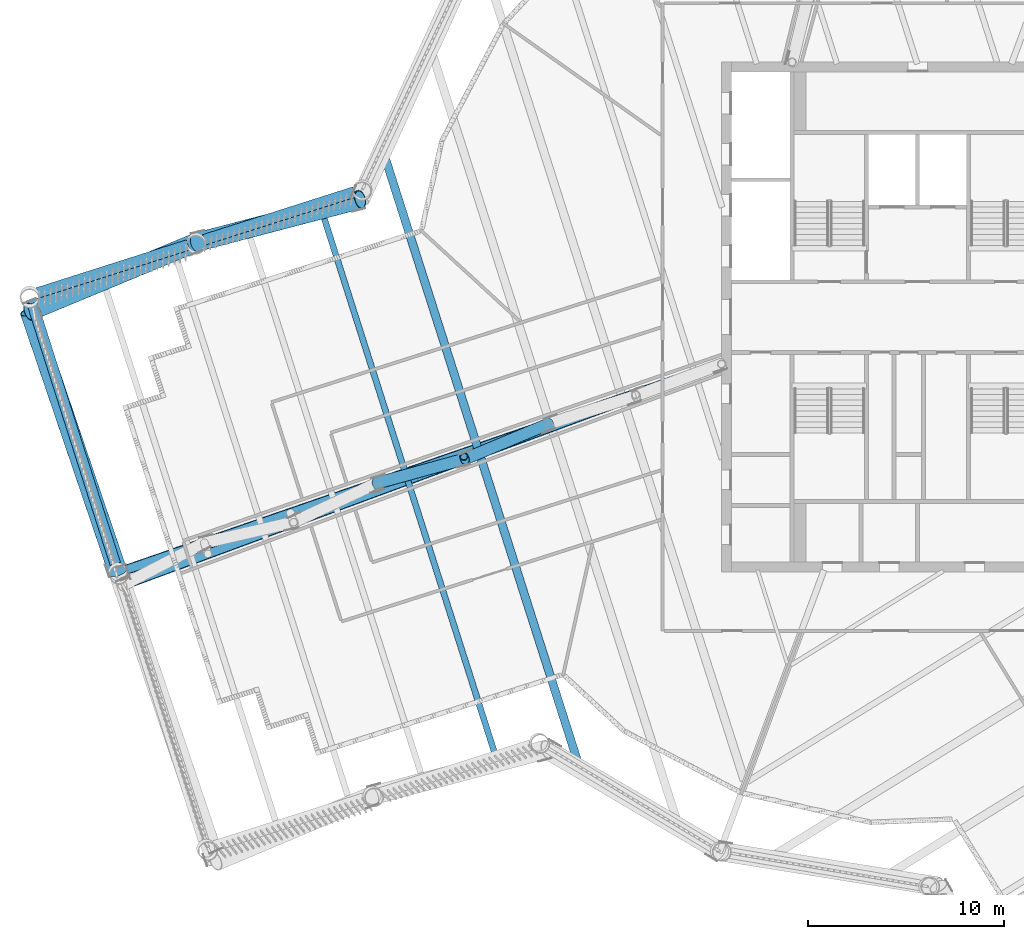
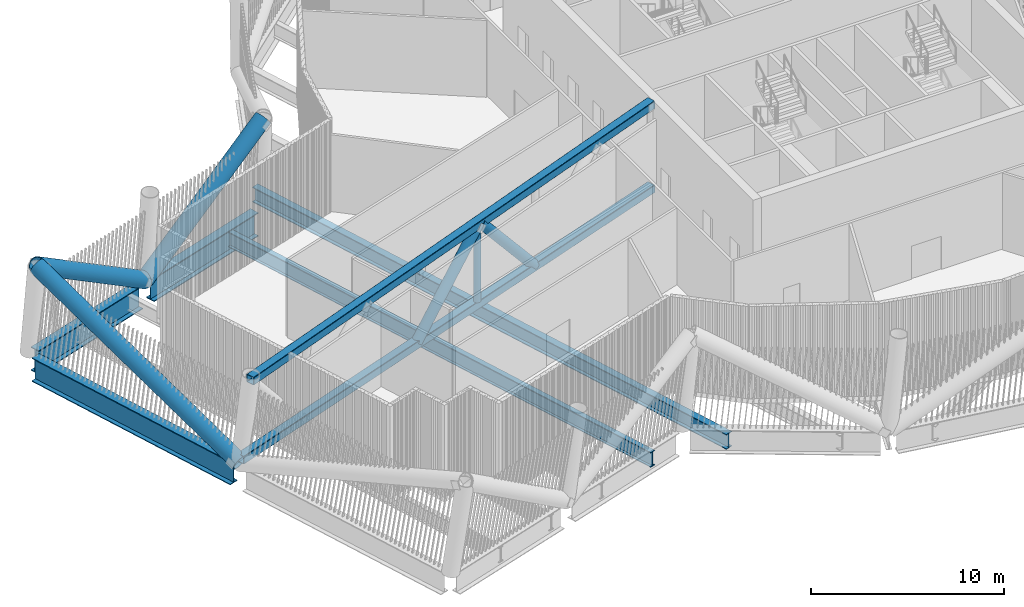
# One storey, part 5 of 40: 8 members, 5 beams.
"""IFC4 building model written with IfcOpenShell, lengths in metres."""

from ifc_helpers import new_model, si_unit, direction, frame, origin, origin_2d, place, context, subcontext, project, spatial, hollow_rectangle, hollow_circle, i_section, extrude, material, material_profile, profile_set, type_object, element, save


model = new_model("IFC4")

# Units and contexts
model_context = context("Model", 3, precision=1e-05, world=origin(), true_north=direction((0.0, 1.0)))
body_context = subcontext(model_context, "Body", "Model", "MODEL_VIEW")
ifc_project = project(units=[si_unit("LENGTHUNIT", "METRE"), si_unit("AREAUNIT", "SQUARE_METRE"), si_unit("VOLUMEUNIT", "CUBIC_METRE"), si_unit("PLANEANGLEUNIT", "RADIAN"), si_unit("MASSUNIT", "GRAM", prefix="KILO")], contexts=[model_context])

# Site, building, storey
site_placement = place(None, origin())
site = spatial("IfcSite", under=ifc_project, at=site_placement, CompositionType="ELEMENT")
building_placement = place(site_placement, origin())
building = spatial("IfcBuilding", under=site, at=building_placement, Name="Tarsis Ring Headquarters", CompositionType="ELEMENT")
storey_placement = place(building_placement, frame((0.0, 0.0, 354.800048828125)))
storey = spatial("IfcBuildingStorey", under=building, at=storey_placement, Name="L84", CompositionType="ELEMENT", Elevation=354.800048828125)

# Beams
ifc_material = material(Name="Structural steel S355", Category="steel")
ifc_material_profile_1 = material_profile(ifc_material, i_section(OverallWidth=0.309814453125, OverallDepth=0.949951171875, WebThickness=0.0244140625, FlangeThickness=0.0439453125, at=origin_2d()), Name="W36x256")
ifc_profile_set_1 = profile_set([ifc_material_profile_1], Name="Structural steel S355")
beam_type_1 = type_object("IfcBeamType", Name="FB Floor beam W36x256", PredefinedType="JOIST", material=ifc_profile_set_1)
beam_1_placement = place(storey_placement, frame((-30.53125, 5.890869140625, -0.775146484375), z_axis=(0.303704594529, -0.952766245866, 0.0), x_axis=(0.952766245866, 0.303704594529, 0.0)))
element("IfcBeam", 1, at=beam_1_placement, inside=storey, type_object=beam_type_1, Name="Floor beam FB11", PredefinedType="JOIST", context=body_context, shape_type="SweptSolid", body=[
    extrude(i_section(OverallWidth=0.309814453125, OverallDepth=0.949951171875, WebThickness=0.0244140625, FlangeThickness=0.0439453125, at=origin_2d()), origin(), (0.0, 0.0, 1.0), 29.77001953125),
])
ifc_material_profile_2 = material_profile(ifc_material, i_section(OverallWidth=0.42431640625, OverallDepth=0.947509765625, WebThickness=0.02392578125, FlangeThickness=0.042724609375, at=origin_2d()), Name="W36x302")
ifc_profile_set_2 = profile_set([ifc_material_profile_2], Name="Structural steel S355")
beam_type_2 = type_object("IfcBeamType", Name="FB Floor beam W36x302", PredefinedType="JOIST", material=ifc_profile_set_2)
beam_2_placement = place(storey_placement, frame((-27.33642578125, 8.710205078125, -0.773681640625), z_axis=(0.303696069498, -0.95276896327, 0.0), x_axis=(0.95276896327, 0.303696069498, 0.0)))
element("IfcBeam", 2, at=beam_2_placement, inside=storey, type_object=beam_type_2, Name="Floor beam FB12", PredefinedType="JOIST", context=body_context, shape_type="SweptSolid", body=[
    extrude(i_section(OverallWidth=0.42431640625, OverallDepth=0.947509765625, WebThickness=0.02392578125, FlangeThickness=0.042724609375, at=origin_2d()), origin(), (0.0, 0.0, 1.0), 33.29345703125),
])

# Members
ifc_material_profile_3 = material_profile(ifc_material, hollow_rectangle(XDim=0.508056640625, YDim=0.508056640625, WallThickness=0.025390625, InnerFilletRadius=0.025390625, OuterFilletRadius=0.05078125, at=origin_2d()), Name="HSS 508x508x25")
ifc_profile_set_3 = profile_set([ifc_material_profile_3], Name="Structural steel S355")
member_type_1 = type_object("IfcMemberType", Name="OC Outrigger chord HSS 508x508x25", PredefinedType="CHORD", material=ifc_profile_set_3)
member_1_placement = place(storey_placement, frame((-10.0, -2.39990234375, 0.25390625), z_axis=(-0.945183850521, -0.326538648119, 0.0), x_axis=(0.326538648119, -0.945183850521, 0.0)))
element("IfcMember", 3, at=member_1_placement, inside=storey, type_object=member_type_1, Name="Outrigger chord OC1", PredefinedType="CHORD", context=body_context, shape_type="SweptSolid", body=[
    extrude(hollow_rectangle(XDim=0.508056640625, YDim=0.508056640625, WallThickness=0.025390625, InnerFilletRadius=0.025390625, OuterFilletRadius=0.05078125, at=origin_2d()), origin(), (0.0, 0.0, 1.0), 32.552490234375),
])
member_2_placement = place(storey_placement, frame((-10.0, -2.39990234375, 5.5859375), z_axis=(-0.938049326569, -0.346501747361, 0.0), x_axis=(0.346501747361, -0.938049326569, 0.0)))
element("IfcMember", 4, at=member_2_placement, inside=storey, type_object=member_type_1, Name="Outrigger chord OC1", PredefinedType="CHORD", context=body_context, shape_type="SweptSolid", body=[
    extrude(hollow_rectangle(XDim=0.508056640625, YDim=0.508056640625, WallThickness=0.025390625, InnerFilletRadius=0.025390625, OuterFilletRadius=0.05078125, at=origin_2d()), origin(), (0.0, 0.0, 1.0), 32.5703125),
])
ifc_material_profile_4 = material_profile(ifc_material, hollow_circle(Radius=0.3046875, WallThickness=0.02490234375, at=origin_2d()), Name="CHS 610x25")
ifc_profile_set_4 = profile_set([ifc_material_profile_4], Name="Structural steel S355")
member_type_2 = type_object("IfcMemberType", Name="OD Outrigger diagonal CHS 610x25", PredefinedType="BRACE", material=ifc_profile_set_4)
member_3_placement = place(storey_placement, frame((-18.791015625, -5.43701171875, 0.25390625), z_axis=(-0.60741280945, -0.254027791118, 0.752674936646), x_axis=(0.385830432005, -0.922569714297, 0.0)))
element("IfcMember", 5, at=member_3_placement, inside=storey, type_object=member_type_2, Name="Outrigger diagonal OD1", PredefinedType="BRACE", context=body_context, shape_type="SweptSolid", body=[
    extrude(hollow_circle(Radius=0.3046875, WallThickness=0.02490234375, at=origin_2d()), origin(), (0.0, 0.0, 1.0), 7.084228515625),
])
member_4_placement = place(storey_placement, frame((-23.093994140625, -7.236572265625, 5.5859375), z_axis=(-0.634021052149, -0.174836944475, -0.753292339187), x_axis=(0.265836568694, -0.964018111212, 0.0)))
element("IfcMember", 6, at=member_4_placement, inside=storey, type_object=member_type_2, Name="Outrigger diagonal OD1", PredefinedType="BRACE", context=body_context, shape_type="SweptSolid", body=[
    extrude(hollow_circle(Radius=0.3046875, WallThickness=0.02490234375, at=origin_2d()), origin(), (0.0, 0.0, 1.0), 7.078369140625),
])
ifc_material_profile_5 = material_profile(ifc_material, hollow_circle(Radius=0.203125, WallThickness=0.01611328125, at=origin_2d()), Name="CHS 406x16")
ifc_profile_set_5 = profile_set([ifc_material_profile_5], Name="Structural steel S355")
member_type_3 = type_object("IfcMemberType", Name="OV Outrigger post CHS 406x16", PredefinedType="STRUT", material=ifc_profile_set_5)
member_5_placement = place(storey_placement, frame((-23.14013671875, -7.09619140625, 0.508056640625), z_axis=(0.0, 0.0, 1.0), x_axis=(1.0, 0.0, 0.0)))
element("IfcMember", 7, at=member_5_placement, inside=storey, type_object=member_type_3, Name="Outrigger post OV1", PredefinedType="STRUT", context=body_context, shape_type="SweptSolid", body=[
    extrude(hollow_circle(Radius=0.203125, WallThickness=0.01611328125, at=origin_2d()), origin(), (0.0, 0.0, 1.0), 4.823974609375),
])
ifc_material_profile_6 = material_profile(ifc_material, hollow_circle(Radius=0.482666015625, WallThickness=0.0400390625, at=origin_2d()), Name="CHS 965x40")
ifc_profile_set_6 = profile_set([ifc_material_profile_6], Name="Structural steel S355")
member_type_4 = type_object("IfcMemberType", Name="TD Belt truss diagonal CHS 965x40", PredefinedType="BRACE", material=ifc_profile_set_6)
member_6_placement = place(storey_placement, frame((-36.79150390625, 3.80615234375, 0.0), z_axis=(0.79493625748, 0.207912114488, 0.569955172968), x_axis=(-0.253034247194, 0.967457321925, 0.0)))
element("IfcMember", 8, at=member_6_placement, inside=storey, type_object=member_type_4, Name="Belt truss diagonal TD7", PredefinedType="BRACE", context=body_context, shape_type="SweptSolid", body=[
    extrude(hollow_circle(Radius=0.482666015625, WallThickness=0.0400390625, at=origin_2d()), origin(), (0.0, 0.0, 1.0), 10.527099609375),
])
member_7_placement = place(storey_placement, frame((-36.79150390625, 3.80615234375, 0.0), z_axis=(-0.773551039359, -0.321043802154, 0.54639698627), x_axis=(0.383323837403, -0.923614007948, 0.0)))
element("IfcMember", 9, at=member_7_placement, inside=storey, type_object=member_type_4, Name="Belt truss diagonal TD7", PredefinedType="BRACE", context=body_context, shape_type="SweptSolid", body=[
    extrude(hollow_circle(Radius=0.482666015625, WallThickness=0.0400390625, at=origin_2d()), origin(), (0.0, 0.0, 1.0), 10.98095703125),
])
member_8_placement = place(storey_placement, frame((-40.778564453125, -12.998291015625, 0.0), z_axis=(-0.295507157663, 0.870595266625, 0.393369294048), x_axis=(-0.946936788246, -0.321419848589, 0.0)))
element("IfcMember", 10, at=member_8_placement, inside=storey, type_object=member_type_4, Name="Belt truss diagonal TD7", PredefinedType="BRACE", context=body_context, shape_type="SweptSolid", body=[
    extrude(hollow_circle(Radius=0.482666015625, WallThickness=0.0400390625, at=origin_2d()), origin(), (0.0, 0.0, 1.0), 15.2529296875),
])

# Beams
ifc_material_profile_7 = material_profile(ifc_material, i_section(OverallWidth=0.550048828125, OverallDepth=1.5, WebThickness=0.030029296875, FlangeThickness=0.050048828125, at=origin_2d()), Name="PG 1500x550x30x50")
ifc_profile_set_7 = profile_set([ifc_material_profile_7], Name="Structural steel S355")
beam_type_3 = type_object("IfcBeamType", Name="XG Ring girder PG 1500x550x30x50", PredefinedType="BEAM", material=ifc_profile_set_7)
for number, where, z_axis, x_axis, name in (
    (11, (-28.7236328125, 6.3779296875, -0.75), (-0.952761602162, -0.303719162132, 0.0), (0.303719162132, -0.952761602162, 0.0), "Ring girder XG6"),
    (12, (-37.205322265625, 3.67431640625, -0.75), (-0.952761602162, -0.303719162132, 0.0), (0.303719162132, -0.952761602162, 0.0), "Ring girder XG6"),
):
    element("IfcBeam", number, at=place(storey_placement, frame(where, z_axis=z_axis, x_axis=x_axis)), inside=storey, type_object=beam_type_3, Name=name, PredefinedType="BEAM", context=body_context, shape_type="SweptSolid", body=[
        extrude(i_section(OverallWidth=0.550048828125, OverallDepth=1.5, WebThickness=0.030029296875, FlangeThickness=0.050048828125, at=origin_2d()), origin(), (0.0, 0.0, 1.0), 8.033447265625),
    ])
beam_3_placement = place(storey_placement, frame((-45.141357421875, 0.688720703125, -0.75), z_axis=(0.303703448284, -0.952766611244, 0.0), x_axis=(0.952766611244, 0.303703448284, 0.0)))
element("IfcBeam", 13, at=beam_3_placement, inside=storey, type_object=beam_type_3, Name="Ring girder XG6", PredefinedType="BEAM", context=body_context, shape_type="SweptSolid", body=[
    extrude(i_section(OverallWidth=0.550048828125, OverallDepth=1.5, WebThickness=0.030029296875, FlangeThickness=0.050048828125, at=origin_2d()), origin(), (0.0, 0.0, 1.0), 13.93115234375),
])

save(model, "model.ifc")
